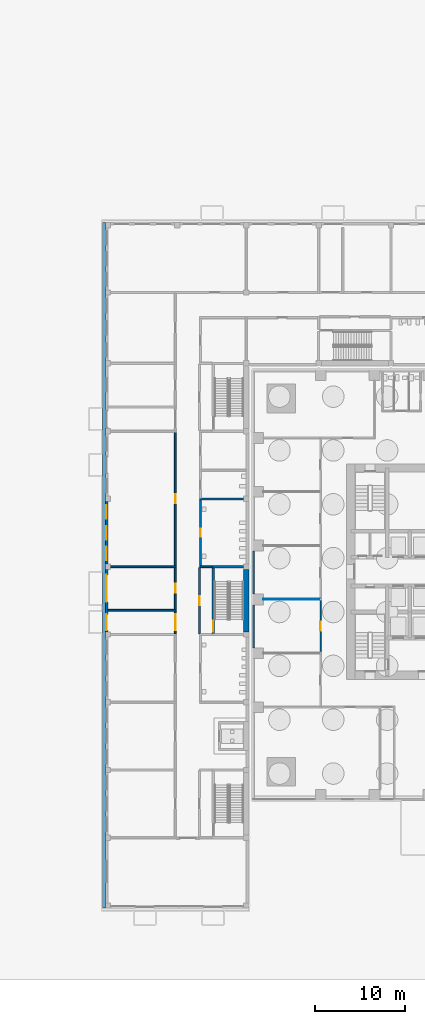
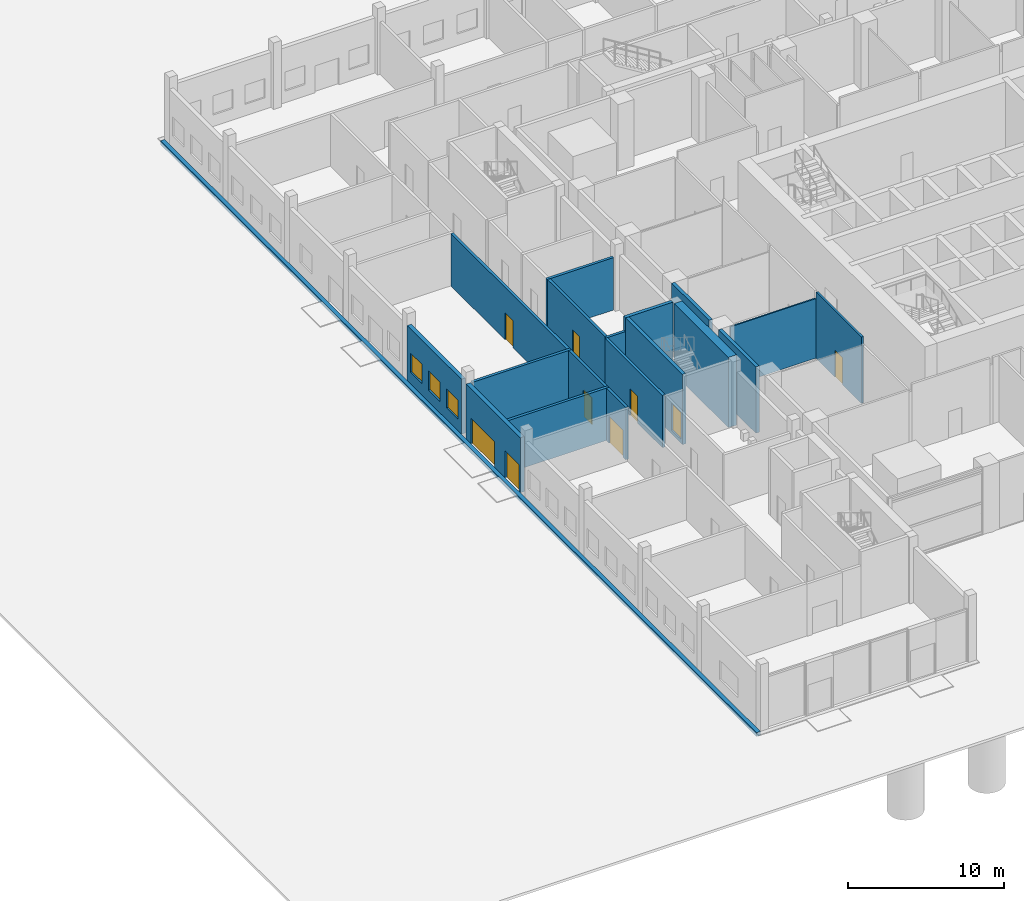
# One storey, part 12 of 33: 19 walls, 9 doors, 3 windows, 12 openings.
"""IFC4 building model written with IfcOpenShell, lengths in metres."""

from ifc_helpers import new_model, si_unit, direction, frame, frame_2d, origin, place, context, subcontext, project, spatial, rectangle, extrude, material, layer, layer_set, type_object, element, fill, save


model = new_model("IFC4")

# Units and contexts
model_context = context("Model", 3, precision=1e-05, world=origin(), true_north=direction((0.0, 1.0)))
body_context = subcontext(model_context, "Body", "Model", "MODEL_VIEW")
ifc_project = project(units=[si_unit("LENGTHUNIT", "METRE"), si_unit("AREAUNIT", "SQUARE_METRE"), si_unit("VOLUMEUNIT", "CUBIC_METRE"), si_unit("PLANEANGLEUNIT", "RADIAN"), si_unit("MASSUNIT", "GRAM", prefix="KILO")], contexts=[model_context])

# Site, building, storey
site_placement = place(None, origin())
site = spatial("IfcSite", under=ifc_project, at=site_placement, CompositionType="ELEMENT")
building_placement = place(site_placement, origin())
building = spatial("IfcBuilding", under=site, at=building_placement, Name="Amberfall Residences", CompositionType="ELEMENT")
storey_placement = place(building_placement, origin())
storey = spatial("IfcBuildingStorey", under=building, at=storey_placement, Name="L00", CompositionType="ELEMENT", Elevation=0.0)

# Wall
ifc_material_1 = material(Name="Gypsum board on steel studs", Category="steel")
ifc_layer_1 = layer(ifc_material_1, 0.10009765625)
ifc_layer_set_1 = layer_set([ifc_layer_1], Name="Partition 100")
wall_type_1 = type_object("IfcWallType", Name="Partition 100", PredefinedType="PARTITIONING", material=ifc_layer_set_1)
wall_1_placement = place(storey_placement, frame((53.199951171875, 42.39990234375, 0.0), z_axis=(0.0, 0.0, 1.0), x_axis=(1.0, 0.0, 0.0)))
element("IfcWall", 1, at=wall_1_placement, inside=storey, type_object=wall_type_1, Name="Partition 100 L00 002", PredefinedType="PARTITIONING", context=body_context, shape_type="SweptSolid", body=[
    extrude(rectangle(XDim=6.324951171875, YDim=0.10009765625, at=frame_2d((3.16259765625, 0.0))), origin(), (0.0, 0.0, 1.0), 4.6669921875),
])

# Wall, opening, door
ifc_material_2 = material(Name="Fire-rated gypsum board on steel studs", Category="steel")
ifc_layer_2 = layer(ifc_material_2, 0.14990234375)
ifc_layer_set_2 = layer_set([ifc_layer_2], Name="Partition 150 fire-rated")
wall_type_2 = type_object("IfcWallType", Name="Partition 150 fire-rated", PredefinedType="PARTITIONING", material=ifc_layer_set_2)
wall_2_placement = place(storey_placement, frame((59.60009765625, 36.504638671875, 0.0), z_axis=(0.0, 0.0, 1.0), x_axis=(0.0, 1.0, 0.0)))
wall_2 = element("IfcWall", 2, at=wall_2_placement, inside=storey, type_object=wall_type_2, Name="Partition 150 fire-rated L00 025", PredefinedType="PARTITIONING", context=body_context, shape_type="SweptSolid", body=[
    extrude(rectangle(XDim=5.790771484375, YDim=0.14990234375, at=frame_2d((2.8955078125, 0.0))), origin(), (0.0, 0.0, 1.0), 5.199951171875),
])
opening_1_placement = place(wall_2_placement, frame((2.3955078125, 0.0, 0.0)))
opening_1 = element("IfcOpeningElement", 3, at=opening_1_placement, cuts=wall_2, Name="Opening D2", PredefinedType="OPENING", context=body_context, shape_type="SweptSolid", body=[
    extrude(rectangle(XDim=1.0, YDim=2.10009765625, at=frame_2d((0.5, 1.050048828125))), frame((0.0, 0.0849609375, 0.0), z_axis=(0.0, -1.0, 0.0), x_axis=(1.0, 0.0, 0.0)), (0.0, 0.0, 1.0), 0.169921875),
])
ifc_material_3 = material(Name="Steel fire door leaf", Category="steel")
door_type_1 = type_object("IfcDoorType", Name="Fire door 1000x2100 FD30S", OperationType="SINGLE_SWING_LEFT", PredefinedType="DOOR", material=ifc_material_3)
door_1_placement = place(opening_1_placement, origin())
door_1 = element("IfcDoor", 4, at=door_1_placement, inside=storey, type_object=door_type_1, Name="Door Staff room", OperationType="SINGLE_SWING_LEFT", OverallHeight=2.10009765625, OverallWidth=1.0, PredefinedType="DOOR", context=body_context, shape_type="SweptSolid", body=[
    extrude(rectangle(XDim=1.0, YDim=2.10009765625, at=frame_2d((0.5, 1.050048828125))), frame((0.0, 0.02490234375, 0.0), z_axis=(0.0, -1.0, 0.0), x_axis=(1.0, 0.0, 0.0)), (0.0, 0.0, 1.0), 0.050048828125),
])
fill(opening_1, door_1)

# Walls
ifc_material_4 = material(Name="Precast concrete C40", Category="concrete")
ifc_layer_3 = layer(ifc_material_4, 0.25)
ifc_layer_set_3 = layer_set([ifc_layer_3], Name="Podium external wall 250")
wall_type_3 = type_object("IfcWallType", Name="Podium external wall 250", PredefinedType="SOLIDWALL", material=ifc_layer_set_3)
for number, where, z_axis, x_axis, name in (
    (5, (52.125, 37.0, 0.0), (0.0, 0.0, 1.0), (0.0, 1.0, 0.0), "Podium external wall W3"),
    (6, (52.125, 43.0, 0.0), (0.0, 0.0, 1.0), (0.0, 1.0, 0.0), "Podium external wall W4"),
):
    element("IfcWall", number, at=place(storey_placement, frame(where, z_axis=z_axis, x_axis=x_axis)), inside=storey, type_object=wall_type_3, Name=name, PredefinedType="SOLIDWALL", context=body_context, shape_type="SweptSolid", body=[
        extrude(rectangle(XDim=4.800048828125, YDim=0.25, at=frame_2d((2.39990234375, 0.0))), origin(), (0.0, 0.0, 1.0), 5.199951171875),
    ])

# Wall, openings, doors
ifc_material_5 = material(Name="Aerated block wall")
ifc_layer_4 = layer(ifc_material_5, 0.300048828125)
ifc_layer_set_4 = layer_set([ifc_layer_4], Name="School external wall 300")
wall_type_4 = type_object("IfcWallType", Name="School external wall 300", PredefinedType="SOLIDWALL", material=ifc_layer_set_4)
wall_3_placement = place(storey_placement, frame((35.75, 38.800048828125, 0.0), z_axis=(0.0, 0.0, 1.0), x_axis=(0.0, 1.0, 0.0)))
wall_3 = element("IfcWall", 7, at=wall_3_placement, inside=storey, type_object=wall_type_4, Name="School external wall L00 EW4", PredefinedType="SOLIDWALL", context=body_context, shape_type="SweptSolid", body=[
    extrude(rectangle(XDim=6.949951171875, YDim=0.300048828125, at=frame_2d((3.47509765625, 0.0))), origin(), (0.0, 0.0, 1.0), 4.300048828125),
])
opening_2_placement = place(wall_3_placement, frame((0.14990234375, 0.0, 0.0)))
opening_2 = element("IfcOpeningElement", 8, at=opening_2_placement, cuts=wall_3, Name="Opening SD3", PredefinedType="OPENING", context=body_context, shape_type="SweptSolid", body=[
    extrude(rectangle(XDim=1.800048828125, YDim=2.10009765625, at=frame_2d((0.89990234375, 1.050048828125))), frame((0.0, 0.159912109375, 0.0), z_axis=(0.0, -1.0, 0.0), x_axis=(1.0, 0.0, 0.0)), (0.0, 0.0, 1.0), 0.320068359375),
])
opening_3_placement = place(wall_3_placement, frame((3.324951171875, 0.0, 0.0)))
opening_3 = element("IfcOpeningElement", 9, at=opening_3_placement, cuts=wall_3, Name="Opening SD6", PredefinedType="OPENING", context=body_context, shape_type="SweptSolid", body=[
    extrude(rectangle(XDim=3.0, YDim=2.0, at=frame_2d((1.5, 1.0))), frame((0.0, 0.159912109375, 0.0), z_axis=(0.0, -1.0, 0.0), x_axis=(1.0, 0.0, 0.0)), (0.0, 0.0, 1.0), 0.320068359375),
])
ifc_material_6 = material(Name="Timber door", Category="wood")
door_type_2 = type_object("IfcDoorType", Name="School double door 1800 x 2100", OperationType="DOUBLE_DOOR_SINGLE_SWING", PredefinedType="DOOR", material=ifc_material_6)
door_2_placement = place(opening_2_placement, origin())
door_2 = element("IfcDoor", 10, at=door_2_placement, inside=storey, type_object=door_type_2, Name="School door L00 EW4-1", OperationType="DOUBLE_DOOR_SINGLE_SWING", OverallHeight=2.10009765625, OverallWidth=1.800048828125, PredefinedType="DOOR", context=body_context, shape_type="SweptSolid", body=[
    extrude(rectangle(XDim=1.800048828125, YDim=2.10009765625, at=frame_2d((0.89990234375, 1.050048828125))), frame((0.0, 0.02490234375, 0.0), z_axis=(0.0, -1.0, 0.0), x_axis=(1.0, 0.0, 0.0)), (0.0, 0.0, 1.0), 0.050048828125),
])
fill(opening_2, door_2)
ifc_material_7 = material(Name="Galvanised steel gate", Category="steel")
door_type_3 = type_object("IfcDoorType", Name="School yard gate 3000 x 2000", OperationType="DOUBLE_DOOR_SINGLE_SWING", PredefinedType="GATE", material=ifc_material_7)
door_3_placement = place(opening_3_placement, origin())
door_3 = element("IfcDoor", 11, at=door_3_placement, inside=storey, type_object=door_type_3, Name="School door L00 EW4-2", OperationType="DOUBLE_DOOR_SINGLE_SWING", OverallHeight=2.0, OverallWidth=3.0, PredefinedType="GATE", context=body_context, shape_type="SweptSolid", body=[
    extrude(rectangle(XDim=3.0, YDim=2.0, at=frame_2d((1.5, 1.0))), frame((0.0, 0.02490234375, 0.0), z_axis=(0.0, -1.0, 0.0), x_axis=(1.0, 0.0, 0.0)), (0.0, 0.0, 1.0), 0.050048828125),
])
fill(opening_3, door_3)

# Wall, openings, windows
wall_4_placement = place(storey_placement, frame((35.75, 46.35009765625, 0.0), z_axis=(0.0, 0.0, 1.0), x_axis=(0.0, 1.0, 0.0)))
wall_4 = element("IfcWall", 12, at=wall_4_placement, inside=storey, type_object=wall_type_4, Name="School external wall L00 EW5", PredefinedType="SOLIDWALL", context=body_context, shape_type="SweptSolid", body=[
    extrude(rectangle(XDim=6.949951171875, YDim=0.300048828125, at=frame_2d((3.47509765625, 0.0))), origin(), (0.0, 0.0, 1.0), 4.300048828125),
])
opening_4_placement = place(wall_4_placement, frame((0.408203125, 0.0, 0.89990234375)))
opening_4 = element("IfcOpeningElement", 13, at=opening_4_placement, cuts=wall_4, Name="Opening SWN1", PredefinedType="OPENING", context=body_context, shape_type="SweptSolid", body=[
    extrude(rectangle(XDim=1.5, YDim=1.5, at=frame_2d((0.75, 0.75))), frame((0.0, 0.159912109375, 0.0), z_axis=(0.0, -1.0, 0.0), x_axis=(1.0, 0.0, 0.0)), (0.0, 0.0, 1.0), 0.320068359375),
])
opening_5_placement = place(wall_4_placement, frame((2.72509765625, 0.0, 0.89990234375)))
opening_5 = element("IfcOpeningElement", 14, at=opening_5_placement, cuts=wall_4, Name="Opening SWN1", PredefinedType="OPENING", context=body_context, shape_type="SweptSolid", body=[
    extrude(rectangle(XDim=1.5, YDim=1.5, at=frame_2d((0.75, 0.75))), frame((0.0, 0.159912109375, 0.0), z_axis=(0.0, -1.0, 0.0), x_axis=(1.0, 0.0, 0.0)), (0.0, 0.0, 1.0), 0.320068359375),
])
opening_6_placement = place(wall_4_placement, frame((5.041748046875, 0.0, 0.89990234375)))
opening_6 = element("IfcOpeningElement", 15, at=opening_6_placement, cuts=wall_4, Name="Opening SWN1", PredefinedType="OPENING", context=body_context, shape_type="SweptSolid", body=[
    extrude(rectangle(XDim=1.5, YDim=1.5, at=frame_2d((0.75, 0.75))), frame((0.0, 0.159912109375, 0.0), z_axis=(0.0, -1.0, 0.0), x_axis=(1.0, 0.0, 0.0)), (0.0, 0.0, 1.0), 0.320068359375),
])
ifc_material_8 = material(Name="Aluminium window", Category="aluminium")
window_type = type_object("IfcWindowType", Name="School window 1500 x 1500", PartitioningType="DOUBLE_PANEL_HORIZONTAL", PredefinedType="WINDOW", material=ifc_material_8)
window_1_placement = place(opening_4_placement, origin())
window_1 = element("IfcWindow", 16, at=window_1_placement, inside=storey, type_object=window_type, Name="School window L00 EW5-1", OverallHeight=1.5, OverallWidth=1.5, PartitioningType="DOUBLE_PANEL_HORIZONTAL", PredefinedType="WINDOW", context=body_context, shape_type="SweptSolid", body=[
    extrude(rectangle(XDim=1.5, YDim=1.5, at=frame_2d((0.75, 0.75))), frame((0.0, 0.030029296875, 0.0), z_axis=(0.0, -1.0, 0.0), x_axis=(1.0, 0.0, 0.0)), (0.0, 0.0, 1.0), 0.06005859375),
])
fill(opening_4, window_1)
window_2_placement = place(opening_5_placement, origin())
window_2 = element("IfcWindow", 17, at=window_2_placement, inside=storey, type_object=window_type, Name="School window L00 EW5-2", OverallHeight=1.5, OverallWidth=1.5, PartitioningType="DOUBLE_PANEL_HORIZONTAL", PredefinedType="WINDOW", context=body_context, shape_type="SweptSolid", body=[
    extrude(rectangle(XDim=1.5, YDim=1.5, at=frame_2d((0.75, 0.75))), frame((0.0, 0.030029296875, 0.0), z_axis=(0.0, -1.0, 0.0), x_axis=(1.0, 0.0, 0.0)), (0.0, 0.0, 1.0), 0.06005859375),
])
fill(opening_5, window_2)
window_3_placement = place(opening_6_placement, origin())
window_3 = element("IfcWindow", 18, at=window_3_placement, inside=storey, type_object=window_type, Name="School window L00 EW5-3", OverallHeight=1.5, OverallWidth=1.5, PartitioningType="DOUBLE_PANEL_HORIZONTAL", PredefinedType="WINDOW", context=body_context, shape_type="SweptSolid", body=[
    extrude(rectangle(XDim=1.5, YDim=1.5, at=frame_2d((0.75, 0.75))), frame((0.0, 0.030029296875, 0.0), z_axis=(0.0, -1.0, 0.0), x_axis=(1.0, 0.0, 0.0)), (0.0, 0.0, 1.0), 0.06005859375),
])
fill(opening_6, window_3)

# Wall, opening, door
ifc_layer_5 = layer(ifc_material_5, 0.199951171875)
ifc_layer_set_5 = layer_set([ifc_layer_5], Name="School partition 200")
wall_type_5 = type_object("IfcWallType", Name="School partition 200", PredefinedType="PARTITIONING", material=ifc_layer_set_5)
wall_5_placement = place(storey_placement, frame((43.39990234375, 41.300048828125, 0.0), z_axis=(0.0, 0.0, 1.0), x_axis=(0.0, 1.0, 0.0)))
wall_5 = element("IfcWall", 19, at=wall_5_placement, inside=storey, type_object=wall_type_5, Name="School partition L00 CWW4", PredefinedType="PARTITIONING", context=body_context, shape_type="SweptSolid", body=[
    extrude(rectangle(XDim=4.64990234375, YDim=0.199951171875, at=frame_2d((2.324951171875, 0.0))), origin(), (0.0, 0.0, 1.0), 4.10009765625),
])
opening_7_placement = place(wall_5_placement, frame((1.824951171875, 0.0, 0.0)))
opening_7 = element("IfcOpeningElement", 20, at=opening_7_placement, cuts=wall_5, Name="Opening SD5", PredefinedType="OPENING", context=body_context, shape_type="SweptSolid", body=[
    extrude(rectangle(XDim=1.0, YDim=2.10009765625, at=frame_2d((0.5, 1.050048828125))), frame((0.0, 0.10986328125, 0.0), z_axis=(0.0, -1.0, 0.0), x_axis=(1.0, 0.0, 0.0)), (0.0, 0.0, 1.0), 0.219970703125),
])
door_type_4 = type_object("IfcDoorType", Name="School classroom door 1000 x 2100", OperationType="SINGLE_SWING_LEFT", PredefinedType="DOOR", material=ifc_material_6)
door_4_placement = place(opening_7_placement, origin())
door_4 = element("IfcDoor", 21, at=door_4_placement, inside=storey, type_object=door_type_4, Name="School door L00 CWW4-1", OperationType="SINGLE_SWING_LEFT", OverallHeight=2.10009765625, OverallWidth=1.0, PredefinedType="DOOR", context=body_context, shape_type="SweptSolid", body=[
    extrude(rectangle(XDim=1.0, YDim=2.10009765625, at=frame_2d((0.5, 1.050048828125))), frame((0.0, 0.02490234375, 0.0), z_axis=(0.0, -1.0, 0.0), x_axis=(1.0, 0.0, 0.0)), (0.0, 0.0, 1.0), 0.050048828125),
])
fill(opening_7, door_4)

wall_6_placement = place(storey_placement, frame((43.39990234375, 46.14990234375, 0.0), z_axis=(0.0, 0.0, 1.0), x_axis=(0.0, 1.0, 0.0)))
wall_6 = element("IfcWall", 22, at=wall_6_placement, inside=storey, type_object=wall_type_5, Name="School partition L00 CWW5", PredefinedType="PARTITIONING", context=body_context, shape_type="SweptSolid", body=[
    extrude(rectangle(XDim=14.900146484375, YDim=0.199951171875, at=frame_2d((7.4501953125, 0.0))), origin(), (0.0, 0.0, 1.0), 4.10009765625),
])
opening_8_placement = place(wall_6_placement, frame((6.949951171875, 0.0, 0.0)))
opening_8 = element("IfcOpeningElement", 23, at=opening_8_placement, cuts=wall_6, Name="Opening SD5", PredefinedType="OPENING", context=body_context, shape_type="SweptSolid", body=[
    extrude(rectangle(XDim=1.0, YDim=2.10009765625, at=frame_2d((0.5, 1.050048828125))), frame((0.0, 0.10986328125, 0.0), z_axis=(0.0, -1.0, 0.0), x_axis=(1.0, 0.0, 0.0)), (0.0, 0.0, 1.0), 0.219970703125),
])
door_5_placement = place(opening_8_placement, origin())
door_5 = element("IfcDoor", 24, at=door_5_placement, inside=storey, type_object=door_type_4, Name="School door L00 CWW5-1", OperationType="SINGLE_SWING_LEFT", OverallHeight=2.10009765625, OverallWidth=1.0, PredefinedType="DOOR", context=body_context, shape_type="SweptSolid", body=[
    extrude(rectangle(XDim=1.0, YDim=2.10009765625, at=frame_2d((0.5, 1.050048828125))), frame((0.0, 0.02490234375, 0.0), z_axis=(0.0, -1.0, 0.0), x_axis=(1.0, 0.0, 0.0)), (0.0, 0.0, 1.0), 0.050048828125),
])
fill(opening_8, door_5)

# Walls
wall_7_placement = place(storey_placement, frame((35.89990234375, 41.199951171875, 0.0), z_axis=(0.0, 0.0, 1.0), x_axis=(1.0, 0.0, 0.0)))
element("IfcWall", 25, at=wall_7_placement, inside=storey, type_object=wall_type_5, Name="School partition L00 PW4120", PredefinedType="PARTITIONING", context=body_context, shape_type="SweptSolid", body=[
    extrude(rectangle(XDim=7.60009765625, YDim=0.199951171875, at=frame_2d((3.800048828125, 0.0))), origin(), (0.0, 0.0, 1.0), 4.10009765625),
])
wall_8_placement = place(storey_placement, frame((36.199951171875, 46.050048828125, 0.0), z_axis=(0.0, 0.0, 1.0), x_axis=(1.0, 0.0, 0.0)))
element("IfcWall", 26, at=wall_8_placement, inside=storey, type_object=wall_type_5, Name="School partition L00 PW4605", PredefinedType="PARTITIONING", context=body_context, shape_type="SweptSolid", body=[
    extrude(rectangle(XDim=7.300048828125, YDim=0.199951171875, at=frame_2d((3.64990234375, 0.0))), origin(), (0.0, 0.0, 1.0), 4.10009765625),
])

# Wall, opening, door
wall_9_placement = place(storey_placement, frame((46.199951171875, 46.14990234375, 0.0), z_axis=(0.0, 0.0, 1.0), x_axis=(0.0, 1.0, 0.0)))
wall_9 = element("IfcWall", 27, at=wall_9_placement, inside=storey, type_object=wall_type_5, Name="School partition L00 CWE546", PredefinedType="PARTITIONING", context=body_context, shape_type="SweptSolid", body=[
    extrude(rectangle(XDim=7.35009765625, YDim=0.199951171875, at=frame_2d((3.675048828125, 0.0))), origin(), (0.0, 0.0, 1.0), 4.10009765625),
])
opening_9_placement = place(wall_9_placement, frame((3.22509765625, 0.0, 0.0)))
opening_9 = element("IfcOpeningElement", 28, at=opening_9_placement, cuts=wall_9, Name="Opening SD2", PredefinedType="OPENING", context=body_context, shape_type="SweptSolid", body=[
    extrude(rectangle(XDim=0.89990234375, YDim=2.10009765625, at=frame_2d((0.449951171875, 1.050048828125))), frame((0.0, 0.10986328125, 0.0), z_axis=(0.0, -1.0, 0.0), x_axis=(1.0, 0.0, 0.0)), (0.0, 0.0, 1.0), 0.219970703125),
])
door_type_5 = type_object("IfcDoorType", Name="School WC door 900 x 2100", OperationType="SINGLE_SWING_LEFT", PredefinedType="DOOR", material=ifc_material_6)
door_6_placement = place(opening_9_placement, origin())
door_6 = element("IfcDoor", 29, at=door_6_placement, inside=storey, type_object=door_type_5, Name="School door L00 CWE546-1", OperationType="SINGLE_SWING_LEFT", OverallHeight=2.10009765625, OverallWidth=0.89990234375, PredefinedType="DOOR", context=body_context, shape_type="SweptSolid", body=[
    extrude(rectangle(XDim=0.89990234375, YDim=2.10009765625, at=frame_2d((0.449951171875, 1.050048828125))), frame((0.0, 0.02490234375, 0.0), z_axis=(0.0, -1.0, 0.0), x_axis=(1.0, 0.0, 0.0)), (0.0, 0.0, 1.0), 0.050048828125),
])
fill(opening_9, door_6)

# Walls
wall_10_placement = place(storey_placement, frame((46.10009765625, 46.050048828125, 0.0), z_axis=(0.0, 0.0, 1.0), x_axis=(1.0, 0.0, 0.0)))
element("IfcWall", 30, at=wall_10_placement, inside=storey, type_object=wall_type_5, Name="School partition L00 PEA5", PredefinedType="PARTITIONING", context=body_context, shape_type="SweptSolid", body=[
    extrude(rectangle(XDim=1.39990234375, YDim=0.199951171875, at=frame_2d((0.699951171875, 0.0))), origin(), (0.0, 0.0, 1.0), 4.10009765625),
])
wall_11_placement = place(storey_placement, frame((46.10009765625, 53.60009765625, 0.0), z_axis=(0.0, 0.0, 1.0), x_axis=(1.0, 0.0, 0.0)))
element("IfcWall", 31, at=wall_11_placement, inside=storey, type_object=wall_type_5, Name="School partition L00 PE6", PredefinedType="PARTITIONING", context=body_context, shape_type="SweptSolid", body=[
    extrude(rectangle(XDim=4.89990234375, YDim=0.199951171875, at=frame_2d((2.449951171875, 0.0))), origin(), (0.0, 0.0, 1.0), 4.10009765625),
])

# Wall, opening, door
wall_12_placement = place(storey_placement, frame((46.10009765625, 38.60009765625, 0.0), z_axis=(0.0, 0.0, 1.0), x_axis=(0.0, 1.0, 0.0)))
wall_12 = element("IfcWall", 32, at=wall_12_placement, inside=storey, type_object=wall_type_5, Name="School partition L00 CWLSS2", PredefinedType="PARTITIONING", context=body_context, shape_type="SweptSolid", body=[
    extrude(rectangle(XDim=7.349853515625, YDim=0.199951171875, at=frame_2d((3.6748046875, 0.0))), origin(), (0.0, 0.0, 1.0), 4.10009765625),
])
opening_10_placement = place(wall_12_placement, frame((3.175048828125, 0.0, 0.0)))
opening_10 = element("IfcOpeningElement", 33, at=opening_10_placement, cuts=wall_12, Name="Opening SD8", PredefinedType="OPENING", context=body_context, shape_type="SweptSolid", body=[
    extrude(rectangle(XDim=1.0, YDim=2.10009765625, at=frame_2d((0.5, 1.050048828125))), frame((0.0, 0.10986328125, 0.0), z_axis=(0.0, -1.0, 0.0), x_axis=(1.0, 0.0, 0.0)), (0.0, 0.0, 1.0), 0.219970703125),
])
door_type_6 = type_object("IfcDoorType", Name="School lobby door 1000 x 2100", OperationType="SINGLE_SWING_LEFT", PredefinedType="DOOR", material=ifc_material_6)
door_7_placement = place(opening_10_placement, origin())
door_7 = element("IfcDoor", 34, at=door_7_placement, inside=storey, type_object=door_type_6, Name="School door L00 CWLSS2-1", OperationType="SINGLE_SWING_LEFT", OverallHeight=2.10009765625, OverallWidth=1.0, PredefinedType="DOOR", context=body_context, shape_type="SweptSolid", body=[
    extrude(rectangle(XDim=1.0, YDim=2.10009765625, at=frame_2d((0.5, 1.050048828125))), frame((0.0, 0.02490234375, 0.0), z_axis=(0.0, -1.0, 0.0), x_axis=(1.0, 0.0, 0.0)), (0.0, 0.0, 1.0), 0.050048828125),
])
fill(opening_10, door_7)

wall_13_placement = place(storey_placement, frame((43.39990234375, 38.60009765625, 0.0), z_axis=(0.0, 0.0, 1.0), x_axis=(0.0, 1.0, 0.0)))
wall_13 = element("IfcWall", 35, at=wall_13_placement, inside=storey, type_object=wall_type_5, Name="School partition L00 CWP4", PredefinedType="PARTITIONING", context=body_context, shape_type="SweptSolid", body=[
    extrude(rectangle(XDim=2.5, YDim=0.199951171875, at=frame_2d((1.25, 0.0))), origin(), (0.0, 0.0, 1.0), 4.10009765625),
])
opening_11_placement = place(wall_13_placement, frame((0.35009765625, 0.0, 0.0)))
opening_11 = element("IfcOpeningElement", 36, at=opening_11_placement, cuts=wall_13, Name="Opening SD9", PredefinedType="OPENING", context=body_context, shape_type="SweptSolid", body=[
    extrude(rectangle(XDim=1.800048828125, YDim=2.10009765625, at=frame_2d((0.89990234375, 1.050048828125))), frame((0.0, 0.10986328125, 0.0), z_axis=(0.0, -1.0, 0.0), x_axis=(1.0, 0.0, 0.0)), (0.0, 0.0, 1.0), 0.219970703125),
])
ifc_material_9 = material(Name="Timber fire door", Category="wood")
door_type_7 = type_object("IfcDoorType", Name="School fire double door 1800 x 2100", OperationType="DOUBLE_DOOR_SINGLE_SWING", PredefinedType="DOOR", material=ifc_material_9)
door_8_placement = place(opening_11_placement, origin())
door_8 = element("IfcDoor", 37, at=door_8_placement, inside=storey, type_object=door_type_7, Name="School door L00 CWP4-1", OperationType="DOUBLE_DOOR_SINGLE_SWING", OverallHeight=2.10009765625, OverallWidth=1.800048828125, PredefinedType="DOOR", context=body_context, shape_type="SweptSolid", body=[
    extrude(rectangle(XDim=1.800048828125, YDim=2.10009765625, at=frame_2d((0.89990234375, 1.050048828125))), frame((0.0, 0.02490234375, 0.0), z_axis=(0.0, -1.0, 0.0), x_axis=(1.0, 0.0, 0.0)), (0.0, 0.0, 1.0), 0.050048828125),
])
fill(opening_11, door_8)

# Wall
ifc_material_10 = material(Name="Concrete C40", Category="concrete")
ifc_layer_6 = layer(ifc_material_10, 0.300048828125)
ifc_layer_set_6 = layer_set([ifc_layer_6], Name="School plinth wall 300")
wall_type_6 = type_object("IfcWallType", Name="School plinth wall 300", PredefinedType="SOLIDWALL", material=ifc_layer_set_6)
wall_14_placement = place(storey_placement, frame((35.449951171875, 8.0, -0.300048828125), z_axis=(0.0, 0.0, 1.0), x_axis=(0.0, 1.0, 0.0)))
element("IfcWall", 38, at=wall_14_placement, inside=storey, type_object=wall_type_6, Name="School plinth wall", PredefinedType="SOLIDWALL", context=body_context, shape_type="SweptSolid", body=[
    extrude(rectangle(XDim=76.39990234375, YDim=0.300048828125, at=frame_2d((38.199951171875, 0.0))), origin(), (0.0, 0.0, 1.0), 0.300048828125),
])

# Wall, opening, door
ifc_material_11 = material(Name="Concrete C50", Category="concrete")
ifc_layer_7 = layer(ifc_material_11, 0.25)
ifc_layer_set_7 = layer_set([ifc_layer_7], Name="School stair core wall 250 C50")
wall_type_7 = type_object("IfcWallType", Name="School stair core wall 250 C50", PredefinedType="SHEAR", material=ifc_layer_set_7)
wall_15_placement = place(storey_placement, frame((47.625, 38.625, -0.300048828125), z_axis=(0.0, 0.0, 1.0), x_axis=(0.0, 1.0, 0.0)))
wall_15 = element("IfcWall", 39, at=wall_15_placement, inside=storey, type_object=wall_type_7, Name="School core wall L00 SS2W", PredefinedType="SHEAR", context=body_context, shape_type="SweptSolid", body=[
    extrude(rectangle(XDim=7.300048828125, YDim=0.25, at=frame_2d((3.64990234375, 0.0))), origin(), (0.0, 0.0, 1.0), 5.5),
])
opening_12_placement = place(wall_15_placement, frame((0.199951171875, 0.0, 0.300048828125)))
opening_12 = element("IfcOpeningElement", 40, at=opening_12_placement, cuts=wall_15, Name="Opening SD4", PredefinedType="OPENING", context=body_context, shape_type="SweptSolid", body=[
    extrude(rectangle(XDim=1.199951171875, YDim=2.10009765625, at=frame_2d((0.60009765625, 1.050048828125))), frame((0.0, 0.135009765625, 0.0), z_axis=(0.0, -1.0, 0.0), x_axis=(1.0, 0.0, 0.0)), (0.0, 0.0, 1.0), 0.27001953125),
])
ifc_material_12 = material(Name="Steel fire door", Category="steel")
door_type_8 = type_object("IfcDoorType", Name="School stair door 1200 x 2100 FD120", OperationType="SINGLE_SWING_LEFT", PredefinedType="DOOR", material=ifc_material_12)
door_9_placement = place(opening_12_placement, origin())
door_9 = element("IfcDoor", 41, at=door_9_placement, inside=storey, type_object=door_type_8, Name="School stair door L00 SS2", OperationType="SINGLE_SWING_LEFT", OverallHeight=2.10009765625, OverallWidth=1.199951171875, PredefinedType="DOOR", context=body_context, shape_type="SweptSolid", body=[
    extrude(rectangle(XDim=1.199951171875, YDim=2.10009765625, at=frame_2d((0.60009765625, 1.050048828125))), frame((0.0, 0.02490234375, 0.0), z_axis=(0.0, -1.0, 0.0), x_axis=(1.0, 0.0, 0.0)), (0.0, 0.0, 1.0), 0.050048828125),
])
fill(opening_12, door_9)

# Walls
wall_16_placement = place(storey_placement, frame((47.5, 46.050048828125, -0.300048828125), z_axis=(0.0, 0.0, 1.0), x_axis=(1.0, 0.0, 0.0)))
element("IfcWall", 42, at=wall_16_placement, inside=storey, type_object=wall_type_7, Name="School core wall L00 SS2N", PredefinedType="SHEAR", context=body_context, shape_type="SweptSolid", body=[
    extrude(rectangle(XDim=3.5, YDim=0.25, at=frame_2d((1.75, 0.0))), origin(), (0.0, 0.0, 1.0), 5.5),
])
ifc_layer_8 = layer(ifc_material_11, 0.60009765625)
ifc_layer_set_8 = layer_set([ifc_layer_8], Name="School tower-side core wall 600 C50")
wall_type_8 = type_object("IfcWallType", Name="School tower-side core wall 600 C50", PredefinedType="SHEAR", material=ifc_layer_set_8)
wall_17_placement = place(storey_placement, frame((51.300048828125, 38.800048828125, -0.300048828125), z_axis=(0.0, 0.0, 1.0), x_axis=(0.0, 1.0, 0.0)))
element("IfcWall", 43, at=wall_17_placement, inside=storey, type_object=wall_type_8, Name="School core wall L00 SS2E", PredefinedType="SHEAR", context=body_context, shape_type="SweptSolid", body=[
    extrude(rectangle(XDim=6.949951171875, YDim=0.60009765625, at=frame_2d((3.47509765625, 0.0))), origin(), (0.0, 0.0, 1.0), 5.5),
])

save(model, "model.ifc")
